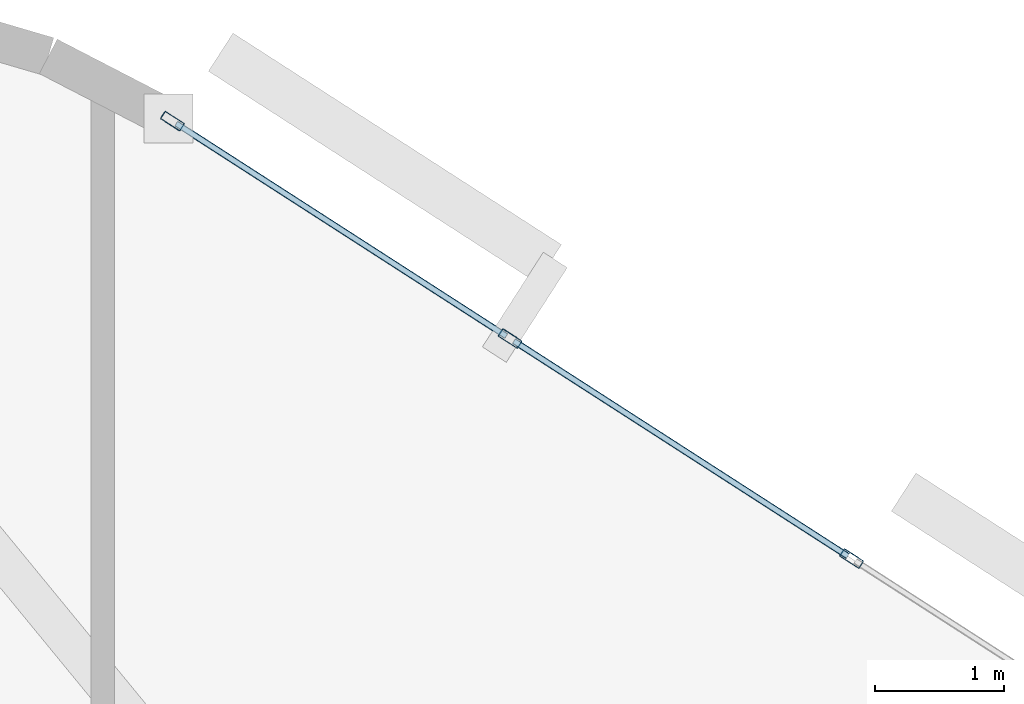
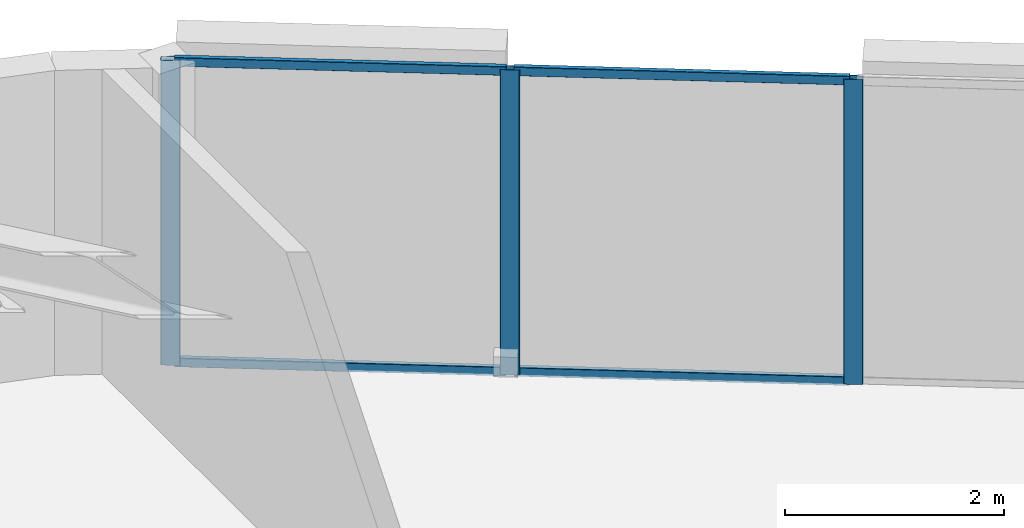
# One storey, part 9 of 16: 7 members, 1 element without a shape of its own.
"""IFC4 building model written with IfcOpenShell, lengths in metres."""

from ifc_helpers import new_model, si_unit, direction, frame, origin, origin_2d, place, context, subcontext, project, spatial, hollow_rectangle, extrude, material, layer, layer_set, material_profile, profile_set, type_object, element, aggregate, save


model = new_model("IFC4")

# Units and contexts
model_context = context("Model", 3, precision=1e-05, world=origin(), true_north=direction((0.0, 1.0)))
body_context = subcontext(model_context, "Body", "Model", "MODEL_VIEW")
ifc_project = project(units=[si_unit("LENGTHUNIT", "METRE"), si_unit("AREAUNIT", "SQUARE_METRE"), si_unit("VOLUMEUNIT", "CUBIC_METRE"), si_unit("PLANEANGLEUNIT", "RADIAN"), si_unit("MASSUNIT", "GRAM", prefix="KILO")], contexts=[model_context])

# Site, building, storey
site_placement = place(None, origin())
site = spatial("IfcSite", under=ifc_project, at=site_placement, CompositionType="ELEMENT")
building_placement = place(site_placement, origin())
building = spatial("IfcBuilding", under=site, at=building_placement, Name="An Khanh Terracotta Commons", CompositionType="ELEMENT")
storey_placement = place(building_placement, frame((0.0, 0.0, 151.0)))
storey = spatial("IfcBuildingStorey", under=building, at=storey_placement, Name="L39", CompositionType="ELEMENT", Elevation=151.0)

# Curtain wall, members
ifc_material = material(Name="Anodised Aluminium 6063-T6", Category="aluminium")
ifc_layer = layer(ifc_material, 0.2099609375, Name="Anodised Aluminium 6063-T6")
ifc_layer_set = layer_set([ifc_layer], Name="Anodised Aluminium 6063-T6")
curtain_wall_type = type_object("IfcCurtainWallType", Name="CW-SYS-03", PredefinedType="USERDEFINED", material=ifc_layer_set)
curtain_wall_placement = place(storey_placement, origin())
curtain_wall = element("IfcCurtainWall", 1, at=curtain_wall_placement, inside=storey, type_object=curtain_wall_type, Name="L39 CW-03 Unitised Curtain Wall CW-L39-16", ObjectType="UNITISED CURTAIN WALL", PredefinedType="USERDEFINED")
ifc_material_profile_1 = material_profile(ifc_material, hollow_rectangle(XDim=0.070068359375, YDim=0.179931640625, WallThickness=0.00390625, InnerFilletRadius=0.00390625, OuterFilletRadius=0.008056640625, at=origin_2d()), Name="RHS180x70x4")
ifc_profile_set_1 = profile_set([ifc_material_profile_1], Name="Anodised Aluminium 6063-T6")
member_type_1 = type_object("IfcMemberType", Name="CWM-RHS180x70x4", PredefinedType="MULLION", material=ifc_profile_set_1)
member_1_placement = place(storey_placement, frame((57.838623046875, 37.52392578125, 0.0), z_axis=(0.0, 0.0, 1.0), x_axis=(-0.541497931062, -0.840702081986, 0.0)))
member_1 = element("IfcMember", 2, at=member_1_placement, type_object=member_type_1, Name="CW-03 mullion 2", PredefinedType="MULLION", context=body_context, shape_type="SweptSolid", body=[
    extrude(hollow_rectangle(XDim=0.070068359375, YDim=0.179931640625, WallThickness=0.00390625, InnerFilletRadius=0.00390625, OuterFilletRadius=0.008056640625, at=origin_2d()), origin(), (0.0, 0.0, 1.0), 3.39990234375),
])
member_2_placement = place(storey_placement, frame((55.19921875, 39.22412109375, 0.0), z_axis=(0.0, 0.0, 1.0), x_axis=(-0.541497931062, -0.840702081986, 0.0)))
member_2 = element("IfcMember", 3, at=member_2_placement, type_object=member_type_1, Name="CW-03 mullion 3", PredefinedType="MULLION", context=body_context, shape_type="SweptSolid", body=[
    extrude(hollow_rectangle(XDim=0.070068359375, YDim=0.179931640625, WallThickness=0.00390625, InnerFilletRadius=0.00390625, OuterFilletRadius=0.008056640625, at=origin_2d()), origin(), (0.0, 0.0, 1.0), 3.39990234375),
])
member_3_placement = place(storey_placement, frame((52.58935546875, 40.905029296875, 0.0), z_axis=(0.0, 0.0, 1.0), x_axis=(-0.541497931062, -0.840702081986, 0.0)))
member_3 = element("IfcMember", 4, at=member_3_placement, type_object=member_type_1, Name="CW-03 mullion 4", PredefinedType="MULLION", context=body_context, shape_type="SweptSolid", body=[
    extrude(hollow_rectangle(XDim=0.070068359375, YDim=0.179931640625, WallThickness=0.00390625, InnerFilletRadius=0.00390625, OuterFilletRadius=0.008056640625, at=origin_2d()), origin(), (0.0, 0.0, 1.0), 3.39990234375),
])
ifc_material_profile_2 = material_profile(ifc_material, hollow_rectangle(XDim=0.050048828125, YDim=0.10009765625, WallThickness=0.003173828125, InnerFilletRadius=0.003173828125, OuterFilletRadius=0.00634765625, at=origin_2d()), Name="RHS100x50x3.2")
ifc_profile_set_2 = profile_set([ifc_material_profile_2], Name="Anodised Aluminium 6063-T6")
member_type_2 = type_object("IfcMemberType", Name="CWT-RHS100x50x3.2", PredefinedType="USERDEFINED", material=ifc_profile_set_2)
member_4_placement = place(storey_placement, frame((57.809326171875, 37.54296875, 0.02490234375), z_axis=(-0.840707825526, 0.54148901383, 0.0), x_axis=(-0.54148901383, -0.840707825526, 0.0)))
member_4 = element("IfcMember", 5, at=member_4_placement, type_object=member_type_2, Name="CW-03 transom 2.1", ObjectType="TRANSOM", PredefinedType="USERDEFINED", context=body_context, shape_type="SweptSolid", body=[
    extrude(hollow_rectangle(XDim=0.050048828125, YDim=0.10009765625, WallThickness=0.003173828125, InnerFilletRadius=0.003173828125, OuterFilletRadius=0.00634765625, at=origin_2d()), origin(), (0.0, 0.0, 1.0), 3.069580078125),
])
member_5_placement = place(storey_placement, frame((57.809326171875, 37.54296875, 3.375), z_axis=(-0.840707825526, 0.54148901383, 0.0), x_axis=(-0.54148901383, -0.840707825526, 0.0)))
member_5 = element("IfcMember", 6, at=member_5_placement, type_object=member_type_2, Name="CW-03 transom 2.2", ObjectType="TRANSOM", PredefinedType="USERDEFINED", context=body_context, shape_type="SweptSolid", body=[
    extrude(hollow_rectangle(XDim=0.050048828125, YDim=0.10009765625, WallThickness=0.003173828125, InnerFilletRadius=0.003173828125, OuterFilletRadius=0.00634765625, at=origin_2d()), origin(), (0.0, 0.0, 1.0), 3.069580078125),
])
member_6_placement = place(storey_placement, frame((55.169921875, 39.242919921875, 0.02490234375), z_axis=(-0.840710223453, 0.541485290826, 0.0), x_axis=(-0.541485290826, -0.840710223453, 0.0)))
member_6 = element("IfcMember", 7, at=member_6_placement, type_object=member_type_2, Name="CW-03 transom 3.1", ObjectType="TRANSOM", PredefinedType="USERDEFINED", context=body_context, shape_type="SweptSolid", body=[
    extrude(hollow_rectangle(XDim=0.050048828125, YDim=0.10009765625, WallThickness=0.003173828125, InnerFilletRadius=0.003173828125, OuterFilletRadius=0.00634765625, at=origin_2d()), origin(), (0.0, 0.0, 1.0), 3.034423828125),
])
member_7_placement = place(storey_placement, frame((55.169921875, 39.242919921875, 3.375), z_axis=(-0.840710223453, 0.541485290826, 0.0), x_axis=(-0.541485290826, -0.840710223453, 0.0)))
member_7 = element("IfcMember", 8, at=member_7_placement, type_object=member_type_2, Name="CW-03 transom 3.2", ObjectType="TRANSOM", PredefinedType="USERDEFINED", context=body_context, shape_type="SweptSolid", body=[
    extrude(hollow_rectangle(XDim=0.050048828125, YDim=0.10009765625, WallThickness=0.003173828125, InnerFilletRadius=0.003173828125, OuterFilletRadius=0.00634765625, at=origin_2d()), origin(), (0.0, 0.0, 1.0), 3.034423828125),
])
aggregate(curtain_wall, [member_1, member_2, member_3, member_4, member_5, member_6, member_7])

save(model, "model.ifc")
